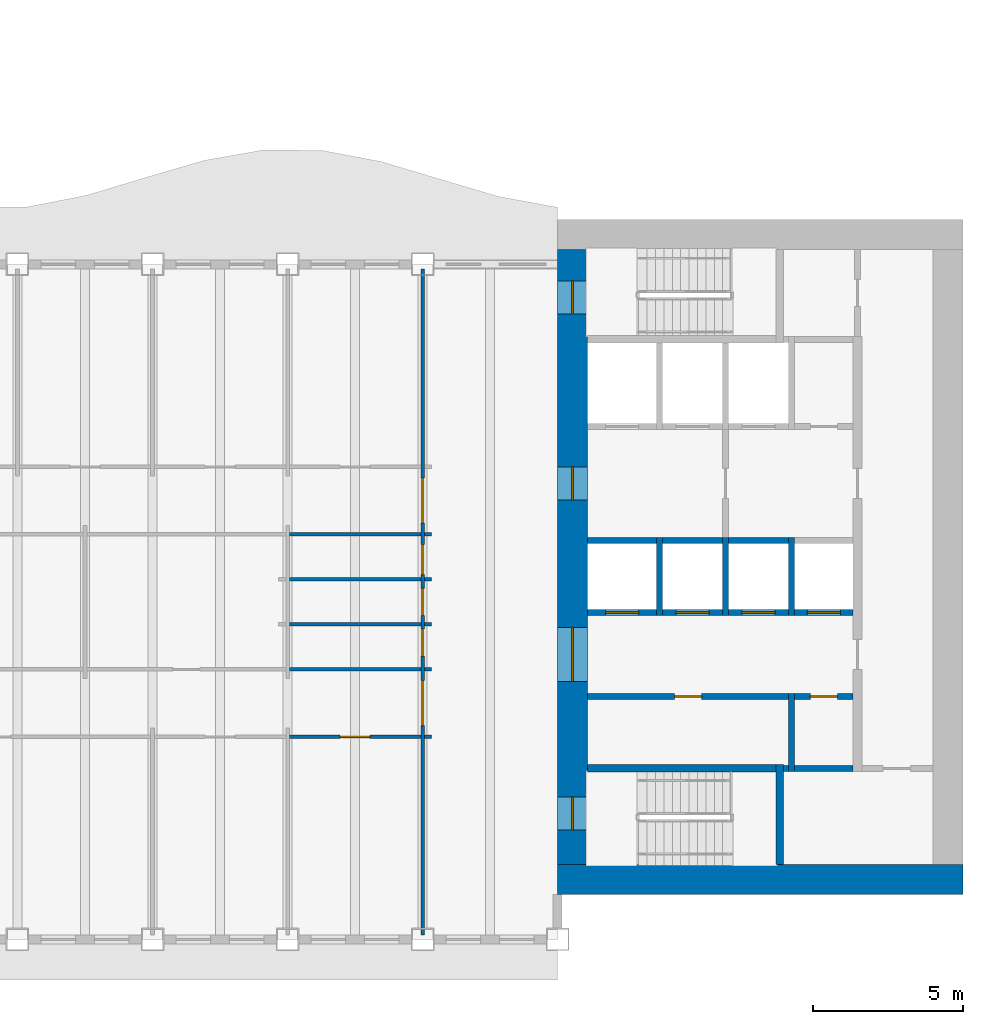
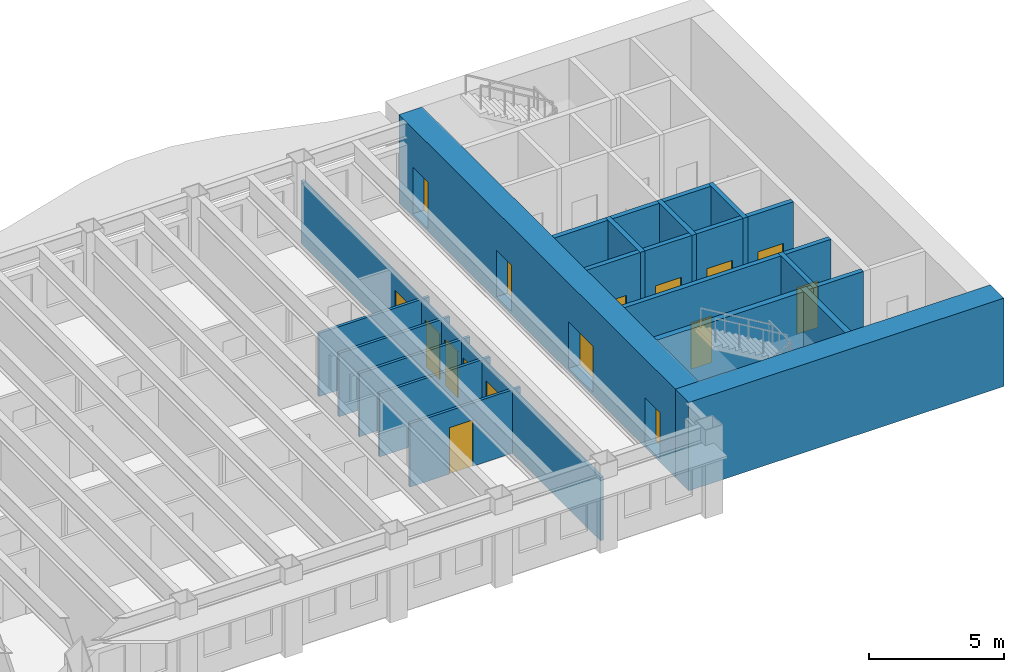
# One storey, part 6 of 16: 30 walls, 16 doors, 16 openings.
"""IFC4 building model written with IfcOpenShell, lengths in metres."""

from ifc_helpers import new_model, si_unit, direction, frame, frame_2d, origin, place, context, subcontext, project, spatial, rectangle, extrude, material, layer, layer_set, type_object, element, fill, save


model = new_model("IFC4")

# Units and contexts
model_context = context("Model", 3, precision=1e-05, world=origin(), true_north=direction((0.0, 1.0)))
body_context = subcontext(model_context, "Body", "Model", "MODEL_VIEW")
ifc_project = project(units=[si_unit("LENGTHUNIT", "METRE"), si_unit("AREAUNIT", "SQUARE_METRE"), si_unit("VOLUMEUNIT", "CUBIC_METRE"), si_unit("PLANEANGLEUNIT", "RADIAN"), si_unit("MASSUNIT", "GRAM", prefix="KILO")], contexts=[model_context])

# Site, building, storey
site_placement = place(None, origin())
site = spatial("IfcSite", under=ifc_project, at=site_placement, CompositionType="ELEMENT")
building_placement = place(site_placement, origin())
building = spatial("IfcBuilding", under=site, at=building_placement, Name="Sennacour Bend Tower", CompositionType="ELEMENT")
storey_placement = place(building_placement, frame((0.0, 0.0, 235.0)))
storey = spatial("IfcBuildingStorey", under=building, at=storey_placement, Name="L54", CompositionType="ELEMENT", Elevation=235.0)

# Wall
ifc_material_1 = material(Name="Concrete C60/75", Category="concrete")
ifc_layer_1 = layer(ifc_material_1, 1.0, Name="Concrete C60/75", Category="concrete")
ifc_layer_set_1 = layer_set([ifc_layer_1], Name="Concrete C60/75")
wall_type_1 = type_object("IfcWallType", Name="Core wall 1000 C60/75", PredefinedType="SHEAR", material=ifc_layer_set_1)
wall_1_placement = place(storey_placement, frame((67.5, 0.5, -0.14990234375), z_axis=(0.0, 0.0, 1.0), x_axis=(-1.0, 0.0, 0.0)))
element("IfcWall", 1, at=wall_1_placement, inside=storey, type_object=wall_type_1, Name="Core A wall L54 S", PredefinedType="SHEAR", context=body_context, shape_type="SweptSolid", body=[
    extrude(rectangle(XDim=13.5, YDim=1.0, at=frame_2d((6.75, 0.0))), origin(), (0.0, 0.0, 1.0), 4.0),
])

# Wall, openings, doors
wall_2_placement = place(storey_placement, frame((54.5, 1.0, -0.14990234375), z_axis=(0.0, 0.0, 1.0), x_axis=(0.0, 1.0, 0.0)))
wall_2 = element("IfcWall", 2, at=wall_2_placement, inside=storey, type_object=wall_type_1, Name="Core A wall L54 W", PredefinedType="SHEAR", context=body_context, shape_type="SweptSolid", body=[
    extrude(rectangle(XDim=20.5, YDim=1.0, at=frame_2d((10.25, 0.0))), origin(), (0.0, 0.0, 1.0), 4.0),
])
opening_1_placement = place(wall_2_placement, frame((6.10009765625, 0.0, 0.14990234375)))
opening_1 = element("IfcOpeningElement", 3, at=opening_1_placement, cuts=wall_2, Name="Opening CD", PredefinedType="OPENING", context=body_context, shape_type="SweptSolid", body=[
    extrude(rectangle(XDim=1.800048828125, YDim=2.10009765625, at=frame_2d((0.89990234375, 1.050048828125))), frame((0.0, 0.510009765625, 0.0), z_axis=(0.0, -1.0, 0.0), x_axis=(1.0, 0.0, 0.0)), (0.0, 0.0, 1.0), 1.02001953125),
])
opening_2_placement = place(wall_2_placement, frame((12.14990234375, 0.0, 0.14990234375)))
opening_2 = element("IfcOpeningElement", 4, at=opening_2_placement, cuts=wall_2, Name="Opening FD", PredefinedType="OPENING", context=body_context, shape_type="SweptSolid", body=[
    extrude(rectangle(XDim=1.10009765625, YDim=2.10009765625, at=frame_2d((0.550048828125, 1.050048828125))), frame((0.0, 0.510009765625, 0.0), z_axis=(0.0, -1.0, 0.0), x_axis=(1.0, 0.0, 0.0)), (0.0, 0.0, 1.0), 1.02001953125),
])
opening_3_placement = place(wall_2_placement, frame((1.14990234375, 0.0, 0.14990234375)))
opening_3 = element("IfcOpeningElement", 5, at=opening_3_placement, cuts=wall_2, Name="Opening SD", PredefinedType="OPENING", context=body_context, shape_type="SweptSolid", body=[
    extrude(rectangle(XDim=1.10009765625, YDim=2.10009765625, at=frame_2d((0.550048828125, 1.050048828125))), frame((0.0, 0.510009765625, 0.0), z_axis=(0.0, -1.0, 0.0), x_axis=(1.0, 0.0, 0.0)), (0.0, 0.0, 1.0), 1.02001953125),
])
opening_4_placement = place(wall_2_placement, frame((18.35009765625, 0.0, 0.14990234375)))
opening_4 = element("IfcOpeningElement", 6, at=opening_4_placement, cuts=wall_2, Name="Opening SD", PredefinedType="OPENING", context=body_context, shape_type="SweptSolid", body=[
    extrude(rectangle(XDim=1.10009765625, YDim=2.10009765625, at=frame_2d((0.550048828125, 1.050048828125))), frame((0.0, 0.510009765625, 0.0), z_axis=(0.0, -1.0, 0.0), x_axis=(1.0, 0.0, 0.0)), (0.0, 0.0, 1.0), 1.02001953125),
])
ifc_material_2 = material(Name="Painted steel", Category="steel")
door_type_1 = type_object("IfcDoorType", Name="DR-FFL-1100", OperationType="NOTDEFINED", PredefinedType="DOOR", material=ifc_material_2)
door_1_placement = place(opening_2_placement, origin())
door_1 = element("IfcDoor", 7, at=door_1_placement, inside=storey, type_object=door_type_1, Name="Door", OperationType="SINGLE_SWING_RIGHT", OverallHeight=2.10009765625, OverallWidth=1.10009765625, PredefinedType="DOOR", context=body_context, shape_type="SweptSolid", body=[
    extrude(rectangle(XDim=1.10009765625, YDim=2.10009765625, at=frame_2d((0.550048828125, 1.050048828125))), frame((0.0, 0.02490234375, 0.0), z_axis=(0.0, -1.0, 0.0), x_axis=(1.0, 0.0, 0.0)), (0.0, 0.0, 1.0), 0.050048828125),
])
fill(opening_2, door_1)
door_type_2 = type_object("IfcDoorType", Name="DR-LOBBY-1800", OperationType="NOTDEFINED", PredefinedType="DOOR", material=ifc_material_2)
door_2_placement = place(opening_1_placement, origin())
door_2 = element("IfcDoor", 8, at=door_2_placement, inside=storey, type_object=door_type_2, Name="Door", OperationType="DOUBLE_DOOR_SINGLE_SWING", OverallHeight=2.10009765625, OverallWidth=1.800048828125, PredefinedType="DOOR", context=body_context, shape_type="SweptSolid", body=[
    extrude(rectangle(XDim=1.800048828125, YDim=2.10009765625, at=frame_2d((0.89990234375, 1.050048828125))), frame((0.0, 0.02490234375, 0.0), z_axis=(0.0, -1.0, 0.0), x_axis=(1.0, 0.0, 0.0)), (0.0, 0.0, 1.0), 0.050048828125),
])
fill(opening_1, door_2)
door_type_3 = type_object("IfcDoorType", Name="DR-STAIR-1100", OperationType="NOTDEFINED", PredefinedType="DOOR", material=ifc_material_2)
door_3_placement = place(opening_3_placement, origin())
door_3 = element("IfcDoor", 9, at=door_3_placement, inside=storey, type_object=door_type_3, Name="Door", OperationType="SINGLE_SWING_LEFT", OverallHeight=2.10009765625, OverallWidth=1.10009765625, PredefinedType="DOOR", context=body_context, shape_type="SweptSolid", body=[
    extrude(rectangle(XDim=1.10009765625, YDim=2.10009765625, at=frame_2d((0.550048828125, 1.050048828125))), frame((0.0, 0.02490234375, 0.0), z_axis=(0.0, -1.0, 0.0), x_axis=(1.0, 0.0, 0.0)), (0.0, 0.0, 1.0), 0.050048828125),
])
fill(opening_3, door_3)
door_4_placement = place(opening_4_placement, origin())
door_4 = element("IfcDoor", 10, at=door_4_placement, inside=storey, type_object=door_type_3, Name="Door", OperationType="SINGLE_SWING_RIGHT", OverallHeight=2.10009765625, OverallWidth=1.10009765625, PredefinedType="DOOR", context=body_context, shape_type="SweptSolid", body=[
    extrude(rectangle(XDim=1.10009765625, YDim=2.10009765625, at=frame_2d((0.550048828125, 1.050048828125))), frame((0.0, 0.02490234375, 0.0), z_axis=(0.0, -1.0, 0.0), x_axis=(1.0, 0.0, 0.0)), (0.0, 0.0, 1.0), 0.050048828125),
])
fill(opening_4, door_4)

# Wall, opening, door
ifc_material_3 = material(Name="Plasterboard partition on steel studs", Category="steel")
ifc_layer_2 = layer(ifc_material_3, 0.1201171875, Name="Plasterboard partition on steel studs", Category="steel")
ifc_layer_set_2 = layer_set([ifc_layer_2], Name="Plasterboard partition on steel studs")
wall_type_2 = type_object("IfcWallType", Name="Partition 120", PredefinedType="PARTITIONING", material=ifc_layer_set_2)
wall_3_placement = place(storey_placement, frame((45.06005859375, 5.25, 0.0), z_axis=(0.0, 0.0, 1.0), x_axis=(1.0, 0.0, 0.0)))
wall_3 = element("IfcWall", 11, at=wall_3_placement, inside=storey, type_object=wall_type_2, Name="P-L54-W056af", PredefinedType="PARTITIONING", context=body_context, shape_type="SweptSolid", body=[
    extrude(rectangle(XDim=4.3798828125, YDim=0.1201171875, at=frame_2d((2.18994140625, 0.0))), origin(), (0.0, 0.0, 1.0), 2.8701171875),
])
opening_5_placement = place(wall_3_placement, frame((1.68994140625, 0.0, 0.0)))
opening_5 = element("IfcOpeningElement", 12, at=opening_5_placement, cuts=wall_3, Name="Opening OD2", PredefinedType="OPENING", context=body_context, shape_type="SweptSolid", body=[
    extrude(rectangle(XDim=1.0, YDim=2.10009765625, at=frame_2d((0.5, 1.050048828125))), frame((0.0, 0.070068359375, 0.0), z_axis=(0.0, -1.0, 0.0), x_axis=(1.0, 0.0, 0.0)), (0.0, 0.0, 1.0), 0.14013671875),
])
ifc_material_4 = material(Name="Timber", Category="wood")
door_type_4 = type_object("IfcDoorType", Name="DR-OFFICE-1000", OperationType="NOTDEFINED", PredefinedType="DOOR", material=ifc_material_4)
door_5_placement = place(opening_5_placement, origin())
door_5 = element("IfcDoor", 13, at=door_5_placement, inside=storey, type_object=door_type_4, Name="Door", OperationType="SINGLE_SWING_LEFT", OverallHeight=2.10009765625, OverallWidth=1.0, PredefinedType="DOOR", context=body_context, shape_type="SweptSolid", body=[
    extrude(rectangle(XDim=1.0, YDim=2.10009765625, at=frame_2d((0.5, 1.050048828125))), frame((0.0, 0.02490234375, 0.0), z_axis=(0.0, -1.0, 0.0), x_axis=(1.0, 0.0, 0.0)), (0.0, 0.0, 1.0), 0.050048828125),
])
fill(opening_5, door_5)

# Walls
wall_4_placement = place(storey_placement, frame((49.56005859375, 5.25, 0.0), z_axis=(0.0, 0.0, 1.0), x_axis=(1.0, 0.0, 0.0)))
element("IfcWall", 14, at=wall_4_placement, inside=storey, type_object=wall_type_2, Name="P-L54-W056ag", PredefinedType="PARTITIONING", context=body_context, shape_type="SweptSolid", body=[
    extrude(rectangle(XDim=0.239990234375, YDim=0.1201171875, at=frame_2d((0.1201171875, 0.0))), origin(), (0.0, 0.0, 1.0), 2.8701171875),
])
wall_5_placement = place(storey_placement, frame((45.06005859375, 7.5, 0.0), z_axis=(0.0, 0.0, 1.0), x_axis=(1.0, 0.0, 0.0)))
element("IfcWall", 15, at=wall_5_placement, inside=storey, type_object=wall_type_2, Name="P-L54-W058ae", PredefinedType="PARTITIONING", context=body_context, shape_type="SweptSolid", body=[
    extrude(rectangle(XDim=4.3798828125, YDim=0.1201171875, at=frame_2d((2.18994140625, 0.0))), origin(), (0.0, 0.0, 1.0), 2.8701171875),
])
wall_6_placement = place(storey_placement, frame((49.56005859375, 7.5, 0.0), z_axis=(0.0, 0.0, 1.0), x_axis=(1.0, 0.0, 0.0)))
element("IfcWall", 16, at=wall_6_placement, inside=storey, type_object=wall_type_2, Name="P-L54-W058af", PredefinedType="PARTITIONING", context=body_context, shape_type="SweptSolid", body=[
    extrude(rectangle(XDim=0.239990234375, YDim=0.1201171875, at=frame_2d((0.1201171875, 0.0))), origin(), (0.0, 0.0, 1.0), 2.8701171875),
])
wall_7_placement = place(storey_placement, frame((45.06005859375, 9.0, 0.0), z_axis=(0.0, 0.0, 1.0), x_axis=(1.0, 0.0, 0.0)))
element("IfcWall", 17, at=wall_7_placement, inside=storey, type_object=wall_type_2, Name="P-L54-W059ab", PredefinedType="PARTITIONING", context=body_context, shape_type="SweptSolid", body=[
    extrude(rectangle(XDim=4.3798828125, YDim=0.1201171875, at=frame_2d((2.18994140625, 0.0))), origin(), (0.0, 0.0, 1.0), 2.8701171875),
])
wall_8_placement = place(storey_placement, frame((49.56005859375, 9.0, 0.0), z_axis=(0.0, 0.0, 1.0), x_axis=(1.0, 0.0, 0.0)))
element("IfcWall", 18, at=wall_8_placement, inside=storey, type_object=wall_type_2, Name="P-L54-W059ac", PredefinedType="PARTITIONING", context=body_context, shape_type="SweptSolid", body=[
    extrude(rectangle(XDim=0.239990234375, YDim=0.1201171875, at=frame_2d((0.1201171875, 0.0))), origin(), (0.0, 0.0, 1.0), 2.8701171875),
])
wall_9_placement = place(storey_placement, frame((45.06005859375, 10.5, 0.0), z_axis=(0.0, 0.0, 1.0), x_axis=(1.0, 0.0, 0.0)))
element("IfcWall", 19, at=wall_9_placement, inside=storey, type_object=wall_type_2, Name="P-L54-W061ab", PredefinedType="PARTITIONING", context=body_context, shape_type="SweptSolid", body=[
    extrude(rectangle(XDim=4.3798828125, YDim=0.1201171875, at=frame_2d((2.18994140625, 0.0))), origin(), (0.0, 0.0, 1.0), 2.8701171875),
])
wall_10_placement = place(storey_placement, frame((49.56005859375, 10.5, 0.0), z_axis=(0.0, 0.0, 1.0), x_axis=(1.0, 0.0, 0.0)))
element("IfcWall", 20, at=wall_10_placement, inside=storey, type_object=wall_type_2, Name="P-L54-W061ac", PredefinedType="PARTITIONING", context=body_context, shape_type="SweptSolid", body=[
    extrude(rectangle(XDim=0.239990234375, YDim=0.1201171875, at=frame_2d((0.1201171875, 0.0))), origin(), (0.0, 0.0, 1.0), 2.8701171875),
])
wall_11_placement = place(storey_placement, frame((45.06005859375, 12.0, 0.0), z_axis=(0.0, 0.0, 1.0), x_axis=(1.0, 0.0, 0.0)))
element("IfcWall", 21, at=wall_11_placement, inside=storey, type_object=wall_type_2, Name="P-L54-W064ae", PredefinedType="PARTITIONING", context=body_context, shape_type="SweptSolid", body=[
    extrude(rectangle(XDim=4.3798828125, YDim=0.1201171875, at=frame_2d((2.18994140625, 0.0))), origin(), (0.0, 0.0, 1.0), 2.8701171875),
])
wall_12_placement = place(storey_placement, frame((49.56005859375, 12.0, 0.0), z_axis=(0.0, 0.0, 1.0), x_axis=(1.0, 0.0, 0.0)))
element("IfcWall", 22, at=wall_12_placement, inside=storey, type_object=wall_type_2, Name="P-L54-W064af", PredefinedType="PARTITIONING", context=body_context, shape_type="SweptSolid", body=[
    extrude(rectangle(XDim=0.239990234375, YDim=0.1201171875, at=frame_2d((0.1201171875, 0.0))), origin(), (0.0, 0.0, 1.0), 2.8701171875),
])

# Wall, openings, doors
ifc_layer_3 = layer(ifc_material_3, 0.1201171875, Name="Plasterboard partition on steel studs", Category="steel")
ifc_layer_set_3 = layer_set([ifc_layer_3], Name="Plasterboard partition on steel studs")
wall_type_3 = type_object("IfcWallType", Name="Partition 120 EI 30", PredefinedType="PARTITIONING", material=ifc_layer_set_3)
wall_13_placement = place(storey_placement, frame((49.5, -1.35009765625, 0.0), z_axis=(0.0, 0.0, 1.0), x_axis=(0.0, 1.0, 0.0)))
wall_13 = element("IfcWall", 23, at=wall_13_placement, inside=storey, type_object=wall_type_3, Name="P-L54-W035a", PredefinedType="PARTITIONING", context=body_context, shape_type="SweptSolid", body=[
    extrude(rectangle(XDim=22.2001953125, YDim=0.1201171875, at=frame_2d((11.10009765625, 0.0))), origin(), (0.0, 0.0, 1.0), 2.8701171875),
])
opening_6_placement = place(wall_13_placement, frame((6.97509765625, 0.0, 0.0)))
opening_6 = element("IfcOpeningElement", 24, at=opening_6_placement, cuts=wall_13, Name="Opening KD", PredefinedType="OPENING", context=body_context, shape_type="SweptSolid", body=[
    extrude(rectangle(XDim=1.5, YDim=2.10009765625, at=frame_2d((0.75, 1.050048828125))), frame((0.0, 0.070068359375, 0.0), z_axis=(0.0, -1.0, 0.0), x_axis=(1.0, 0.0, 0.0)), (0.0, 0.0, 1.0), 0.14013671875),
])
opening_7_placement = place(wall_13_placement, frame((13.72509765625, 0.0, 0.0)))
opening_7 = element("IfcOpeningElement", 25, at=opening_7_placement, cuts=wall_13, Name="Opening KD", PredefinedType="OPENING", context=body_context, shape_type="SweptSolid", body=[
    extrude(rectangle(XDim=1.5, YDim=2.10009765625, at=frame_2d((0.75, 1.050048828125))), frame((0.0, 0.070068359375, 0.0), z_axis=(0.0, -1.0, 0.0), x_axis=(1.0, 0.0, 0.0)), (0.0, 0.0, 1.0), 0.14013671875),
])
opening_8_placement = place(wall_13_placement, frame((9.2900390625, 0.0, 0.0)))
opening_8 = element("IfcOpeningElement", 26, at=opening_8_placement, cuts=wall_13, Name="Opening WD", PredefinedType="OPENING", context=body_context, shape_type="SweptSolid", body=[
    extrude(rectangle(XDim=0.89990234375, YDim=2.10009765625, at=frame_2d((0.449951171875, 1.050048828125))), frame((0.0, 0.070068359375, 0.0), z_axis=(0.0, -1.0, 0.0), x_axis=(1.0, 0.0, 0.0)), (0.0, 0.0, 1.0), 0.14013671875),
])
opening_9_placement = place(wall_13_placement, frame((10.650146484375, 0.0, 0.0)))
opening_9 = element("IfcOpeningElement", 27, at=opening_9_placement, cuts=wall_13, Name="Opening WD", PredefinedType="OPENING", context=body_context, shape_type="SweptSolid", body=[
    extrude(rectangle(XDim=0.89990234375, YDim=2.10009765625, at=frame_2d((0.449951171875, 1.050048828125))), frame((0.0, 0.070068359375, 0.0), z_axis=(0.0, -1.0, 0.0), x_axis=(1.0, 0.0, 0.0)), (0.0, 0.0, 1.0), 0.14013671875),
])
opening_10_placement = place(wall_13_placement, frame((12.010009765625, 0.0, 0.0)))
opening_10 = element("IfcOpeningElement", 28, at=opening_10_placement, cuts=wall_13, Name="Opening AD", PredefinedType="OPENING", context=body_context, shape_type="SweptSolid", body=[
    extrude(rectangle(XDim=1.0, YDim=2.10009765625, at=frame_2d((0.5, 1.050048828125))), frame((0.0, 0.070068359375, 0.0), z_axis=(0.0, -1.0, 0.0), x_axis=(1.0, 0.0, 0.0)), (0.0, 0.0, 1.0), 0.14013671875),
])
door_type_5 = type_object("IfcDoorType", Name="DR-ACC-WC-1000", OperationType="NOTDEFINED", PredefinedType="DOOR", material=ifc_material_4)
door_6_placement = place(opening_10_placement, origin())
door_6 = element("IfcDoor", 29, at=door_6_placement, inside=storey, type_object=door_type_5, Name="Door", OperationType="SINGLE_SWING_RIGHT", OverallHeight=2.10009765625, OverallWidth=1.0, PredefinedType="DOOR", context=body_context, shape_type="SweptSolid", body=[
    extrude(rectangle(XDim=1.0, YDim=2.10009765625, at=frame_2d((0.5, 1.050048828125))), frame((0.0, 0.02490234375, 0.0), z_axis=(0.0, -1.0, 0.0), x_axis=(1.0, 0.0, 0.0)), (0.0, 0.0, 1.0), 0.050048828125),
])
fill(opening_10, door_6)
door_type_6 = type_object("IfcDoorType", Name="DR-CORRIDOR-1500", OperationType="NOTDEFINED", PredefinedType="DOOR", material=ifc_material_2)
door_7_placement = place(opening_6_placement, origin())
door_7 = element("IfcDoor", 30, at=door_7_placement, inside=storey, type_object=door_type_6, Name="Door", OperationType="SINGLE_SWING_LEFT", OverallHeight=2.10009765625, OverallWidth=1.5, PredefinedType="DOOR", context=body_context, shape_type="SweptSolid", body=[
    extrude(rectangle(XDim=1.5, YDim=2.10009765625, at=frame_2d((0.75, 1.050048828125))), frame((0.0, 0.02490234375, 0.0), z_axis=(0.0, -1.0, 0.0), x_axis=(1.0, 0.0, 0.0)), (0.0, 0.0, 1.0), 0.050048828125),
])
fill(opening_6, door_7)
door_8_placement = place(opening_7_placement, origin())
door_8 = element("IfcDoor", 31, at=door_8_placement, inside=storey, type_object=door_type_6, Name="Door", OperationType="SINGLE_SWING_RIGHT", OverallHeight=2.10009765625, OverallWidth=1.5, PredefinedType="DOOR", context=body_context, shape_type="SweptSolid", body=[
    extrude(rectangle(XDim=1.5, YDim=2.10009765625, at=frame_2d((0.75, 1.050048828125))), frame((0.0, 0.02490234375, 0.0), z_axis=(0.0, -1.0, 0.0), x_axis=(1.0, 0.0, 0.0)), (0.0, 0.0, 1.0), 0.050048828125),
])
fill(opening_7, door_8)
door_type_7 = type_object("IfcDoorType", Name="DR-WC-900", OperationType="NOTDEFINED", PredefinedType="DOOR", material=ifc_material_4)
door_9_placement = place(opening_8_placement, origin())
door_9 = element("IfcDoor", 32, at=door_9_placement, inside=storey, type_object=door_type_7, Name="Door", OperationType="SINGLE_SWING_LEFT", OverallHeight=2.10009765625, OverallWidth=0.89990234375, PredefinedType="DOOR", context=body_context, shape_type="SweptSolid", body=[
    extrude(rectangle(XDim=0.89990234375, YDim=2.10009765625, at=frame_2d((0.449951171875, 1.050048828125))), frame((0.0, 0.02490234375, 0.0), z_axis=(0.0, -1.0, 0.0), x_axis=(1.0, 0.0, 0.0)), (0.0, 0.0, 1.0), 0.050048828125),
])
fill(opening_8, door_9)
door_10_placement = place(opening_9_placement, origin())
door_10 = element("IfcDoor", 33, at=door_10_placement, inside=storey, type_object=door_type_7, Name="Door", OperationType="SINGLE_SWING_LEFT", OverallHeight=2.10009765625, OverallWidth=0.89990234375, PredefinedType="DOOR", context=body_context, shape_type="SweptSolid", body=[
    extrude(rectangle(XDim=0.89990234375, YDim=2.10009765625, at=frame_2d((0.449951171875, 1.050048828125))), frame((0.0, 0.02490234375, 0.0), z_axis=(0.0, -1.0, 0.0), x_axis=(1.0, 0.0, 0.0)), (0.0, 0.0, 1.0), 0.050048828125),
])
fill(opening_9, door_10)

# Walls
ifc_material_5 = material(Name="Fire-rated plasterboard partition on steel studs", Category="steel")
ifc_layer_4 = layer(ifc_material_5, 0.199951171875, Name="Fire-rated plasterboard partition on steel studs", Category="steel")
ifc_layer_set_4 = layer_set([ifc_layer_4], Name="Fire-rated plasterboard partition on steel studs")
wall_type_4 = type_object("IfcWallType", Name="Rated partition 200", PredefinedType="PARTITIONING", material=ifc_layer_set_4)
wall_14_placement = place(storey_placement, frame((61.800048828125, 4.10009765625, 0.0), z_axis=(0.0, 0.0, 1.0), x_axis=(0.0, 1.0, 0.0)))
element("IfcWall", 34, at=wall_14_placement, inside=storey, type_object=wall_type_4, Name="P-L54-W044", PredefinedType="PARTITIONING", context=body_context, shape_type="SweptSolid", body=[
    extrude(rectangle(XDim=2.599853515625, YDim=0.199951171875, at=frame_2d((1.2998046875, 0.0))), origin(), (0.0, 0.0, 1.0), 3.85009765625),
])
wall_15_placement = place(storey_placement, frame((61.52490234375, 4.199951171875, 0.0), z_axis=(0.0, 0.0, 1.0), x_axis=(1.0, 0.0, 0.0)))
element("IfcWall", 35, at=wall_15_placement, inside=storey, type_object=wall_type_4, Name="P-L54-W055a", PredefinedType="PARTITIONING", context=body_context, shape_type="SweptSolid", body=[
    extrude(rectangle(XDim=0.175048828125, YDim=0.199951171875, at=frame_2d((0.08740234375, 0.0))), origin(), (0.0, 0.0, 1.0), 3.85009765625),
])
wall_16_placement = place(storey_placement, frame((61.89990234375, 4.199951171875, 0.0), z_axis=(0.0, 0.0, 1.0), x_axis=(1.0, 0.0, 0.0)))
element("IfcWall", 36, at=wall_16_placement, inside=storey, type_object=wall_type_4, Name="P-L54-W055b", PredefinedType="PARTITIONING", context=body_context, shape_type="SweptSolid", body=[
    extrude(rectangle(XDim=1.9501953125, YDim=0.199951171875, at=frame_2d((0.97509765625, 0.0))), origin(), (0.0, 0.0, 1.0), 3.85009765625),
])

# Wall, opening, door
wall_17_placement = place(storey_placement, frame((55.0, 6.60009765625, 0.0), z_axis=(0.0, 0.0, 1.0), x_axis=(1.0, 0.0, 0.0)))
wall_17 = element("IfcWall", 37, at=wall_17_placement, inside=storey, type_object=wall_type_4, Name="P-L54-W057a", PredefinedType="PARTITIONING", context=body_context, shape_type="SweptSolid", body=[
    extrude(rectangle(XDim=6.699951171875, YDim=0.199951171875, at=frame_2d((3.35009765625, 0.0))), origin(), (0.0, 0.0, 1.0), 3.85009765625),
])
opening_11_placement = place(wall_17_placement, frame((2.89990234375, 0.0, 0.0)))
opening_11 = element("IfcOpeningElement", 38, at=opening_11_placement, cuts=wall_17, Name="Opening SV", PredefinedType="OPENING", context=body_context, shape_type="SweptSolid", body=[
    extrude(rectangle(XDim=0.89990234375, YDim=2.10009765625, at=frame_2d((0.449951171875, 1.050048828125))), frame((0.0, 0.10986328125, 0.0), z_axis=(0.0, -1.0, 0.0), x_axis=(1.0, 0.0, 0.0)), (0.0, 0.0, 1.0), 0.219970703125),
])
door_type_8 = type_object("IfcDoorType", Name="DR-SERVICE-900", OperationType="NOTDEFINED", PredefinedType="DOOR", material=ifc_material_2)
door_11_placement = place(opening_11_placement, origin())
door_11 = element("IfcDoor", 39, at=door_11_placement, inside=storey, type_object=door_type_8, Name="Door", OperationType="SINGLE_SWING_LEFT", OverallHeight=2.10009765625, OverallWidth=0.89990234375, PredefinedType="DOOR", context=body_context, shape_type="SweptSolid", body=[
    extrude(rectangle(XDim=0.89990234375, YDim=2.10009765625, at=frame_2d((0.449951171875, 1.050048828125))), frame((0.0, 0.02490234375, 0.0), z_axis=(0.0, -1.0, 0.0), x_axis=(1.0, 0.0, 0.0)), (0.0, 0.0, 1.0), 0.050048828125),
])
fill(opening_11, door_11)

wall_18_placement = place(storey_placement, frame((61.89990234375, 6.60009765625, 0.0), z_axis=(0.0, 0.0, 1.0), x_axis=(1.0, 0.0, 0.0)))
wall_18 = element("IfcWall", 40, at=wall_18_placement, inside=storey, type_object=wall_type_4, Name="P-L54-W057b", PredefinedType="PARTITIONING", context=body_context, shape_type="SweptSolid", body=[
    extrude(rectangle(XDim=1.9501953125, YDim=0.199951171875, at=frame_2d((0.97509765625, 0.0))), origin(), (0.0, 0.0, 1.0), 3.85009765625),
])
opening_12_placement = place(wall_18_placement, frame((0.525146484375, 0.0, 0.0)))
opening_12 = element("IfcOpeningElement", 41, at=opening_12_placement, cuts=wall_18, Name="Opening SV", PredefinedType="OPENING", context=body_context, shape_type="SweptSolid", body=[
    extrude(rectangle(XDim=0.89990234375, YDim=2.10009765625, at=frame_2d((0.449951171875, 1.050048828125))), frame((0.0, 0.10986328125, 0.0), z_axis=(0.0, -1.0, 0.0), x_axis=(1.0, 0.0, 0.0)), (0.0, 0.0, 1.0), 0.219970703125),
])
door_12_placement = place(opening_12_placement, origin())
door_12 = element("IfcDoor", 42, at=door_12_placement, inside=storey, type_object=door_type_8, Name="Door", OperationType="SINGLE_SWING_RIGHT", OverallHeight=2.10009765625, OverallWidth=0.89990234375, PredefinedType="DOOR", context=body_context, shape_type="SweptSolid", body=[
    extrude(rectangle(XDim=0.89990234375, YDim=2.10009765625, at=frame_2d((0.449951171875, 1.050048828125))), frame((0.0, 0.02490234375, 0.0), z_axis=(0.0, -1.0, 0.0), x_axis=(1.0, 0.0, 0.0)), (0.0, 0.0, 1.0), 0.050048828125),
])
fill(opening_12, door_12)

# Walls
ifc_material_6 = material(Name="Concrete C50/60", Category="concrete")
ifc_layer_5 = layer(ifc_material_6, 0.199951171875, Name="Concrete C50/60", Category="concrete")
ifc_layer_set_5 = layer_set([ifc_layer_5], Name="Concrete C50/60")
wall_type_5 = type_object("IfcWallType", Name="Shaft wall 200", PredefinedType="SOLIDWALL", material=ifc_layer_set_5)
for number, where, z_axis, x_axis, name in (
    (43, (57.39990234375, 9.300048828125, 0.0), (0.0, 0.0, 1.0), (0.0, 1.0, 0.0), "P-L54-W037"),
    (44, (59.60009765625, 9.300048828125, 0.0), (0.0, 0.0, 1.0), (0.0, 1.0, 0.0), "P-L54-W039"),
    (45, (61.800048828125, 9.300048828125, 0.0), (0.0, 0.0, 1.0), (0.0, 1.0, 0.0), "P-L54-W045"),
):
    element("IfcWall", number, at=place(storey_placement, frame(where, z_axis=z_axis, x_axis=x_axis)), inside=storey, type_object=wall_type_5, Name=name, PredefinedType="SOLIDWALL", context=body_context, shape_type="SweptSolid", body=[
        extrude(rectangle(XDim=2.599853515625, YDim=0.199951171875, at=frame_2d((1.2998046875, 0.0))), origin(), (0.0, 0.0, 1.0), 3.85009765625),
    ])

# Wall, opening, door
wall_19_placement = place(storey_placement, frame((55.0, 9.39990234375, 0.0), z_axis=(0.0, 0.0, 1.0), x_axis=(1.0, 0.0, 0.0)))
wall_19 = element("IfcWall", 46, at=wall_19_placement, inside=storey, type_object=wall_type_5, Name="P-L54-W060a", PredefinedType="SOLIDWALL", context=body_context, shape_type="SweptSolid", body=[
    extrude(rectangle(XDim=2.300048828125, YDim=0.199951171875, at=frame_2d((1.14990234375, 0.0))), origin(), (0.0, 0.0, 1.0), 3.85009765625),
])
opening_13_placement = place(wall_19_placement, frame((0.60009765625, 0.0, 0.011962890625)))
opening_13 = element("IfcOpeningElement", 47, at=opening_13_placement, cuts=wall_19, Name="Opening LD", PredefinedType="OPENING", context=body_context, shape_type="SweptSolid", body=[
    extrude(rectangle(XDim=1.10009765625, YDim=2.10009765625, at=frame_2d((0.550048828125, 1.050048828125))), frame((0.0, 0.10986328125, 0.0), z_axis=(0.0, -1.0, 0.0), x_axis=(1.0, 0.0, 0.0)), (0.0, 0.0, 1.0), 0.219970703125),
])
ifc_material_7 = material(Name="Stainless steel", Category="steel")
door_type_9 = type_object("IfcDoorType", Name="DR-LANDING-1100", OperationType="NOTDEFINED", PredefinedType="DOOR", material=ifc_material_7)
door_13_placement = place(opening_13_placement, origin())
door_13 = element("IfcDoor", 48, at=door_13_placement, inside=storey, type_object=door_type_9, Name="Lift landing door HA1", OperationType="SLIDING_TO_LEFT", OverallHeight=2.10009765625, OverallWidth=1.10009765625, PredefinedType="DOOR", context=body_context, shape_type="SweptSolid", body=[
    extrude(rectangle(XDim=1.10009765625, YDim=2.10009765625, at=frame_2d((0.550048828125, 1.050048828125))), frame((0.0, 0.02490234375, 0.0), z_axis=(0.0, -1.0, 0.0), x_axis=(1.0, 0.0, 0.0)), (0.0, 0.0, 1.0), 0.050048828125),
])
fill(opening_13, door_13)

wall_20_placement = place(storey_placement, frame((57.5, 9.39990234375, 0.0), z_axis=(0.0, 0.0, 1.0), x_axis=(1.0, 0.0, 0.0)))
wall_20 = element("IfcWall", 49, at=wall_20_placement, inside=storey, type_object=wall_type_5, Name="P-L54-W060b", PredefinedType="SOLIDWALL", context=body_context, shape_type="SweptSolid", body=[
    extrude(rectangle(XDim=2.0, YDim=0.199951171875, at=frame_2d((1.0, 0.0))), origin(), (0.0, 0.0, 1.0), 3.85009765625),
])
opening_14_placement = place(wall_20_placement, frame((0.449951171875, 0.0, 0.011962890625)))
opening_14 = element("IfcOpeningElement", 50, at=opening_14_placement, cuts=wall_20, Name="Opening LD", PredefinedType="OPENING", context=body_context, shape_type="SweptSolid", body=[
    extrude(rectangle(XDim=1.10009765625, YDim=2.10009765625, at=frame_2d((0.550048828125, 1.050048828125))), frame((0.0, 0.10986328125, 0.0), z_axis=(0.0, -1.0, 0.0), x_axis=(1.0, 0.0, 0.0)), (0.0, 0.0, 1.0), 0.219970703125),
])
door_14_placement = place(opening_14_placement, origin())
door_14 = element("IfcDoor", 51, at=door_14_placement, inside=storey, type_object=door_type_9, Name="Lift landing door HA2", OperationType="SLIDING_TO_RIGHT", OverallHeight=2.10009765625, OverallWidth=1.10009765625, PredefinedType="DOOR", context=body_context, shape_type="SweptSolid", body=[
    extrude(rectangle(XDim=1.10009765625, YDim=2.10009765625, at=frame_2d((0.550048828125, 1.050048828125))), frame((0.0, 0.02490234375, 0.0), z_axis=(0.0, -1.0, 0.0), x_axis=(1.0, 0.0, 0.0)), (0.0, 0.0, 1.0), 0.050048828125),
])
fill(opening_14, door_14)

wall_21_placement = place(storey_placement, frame((59.699951171875, 9.39990234375, 0.0), z_axis=(0.0, 0.0, 1.0), x_axis=(1.0, 0.0, 0.0)))
wall_21 = element("IfcWall", 52, at=wall_21_placement, inside=storey, type_object=wall_type_5, Name="P-L54-W060c", PredefinedType="SOLIDWALL", context=body_context, shape_type="SweptSolid", body=[
    extrude(rectangle(XDim=2.0, YDim=0.199951171875, at=frame_2d((1.0, 0.0))), origin(), (0.0, 0.0, 1.0), 3.85009765625),
])
opening_15_placement = place(wall_21_placement, frame((0.449951171875, 0.0, 0.011962890625)))
opening_15 = element("IfcOpeningElement", 53, at=opening_15_placement, cuts=wall_21, Name="Opening LD", PredefinedType="OPENING", context=body_context, shape_type="SweptSolid", body=[
    extrude(rectangle(XDim=1.10009765625, YDim=2.10009765625, at=frame_2d((0.550048828125, 1.050048828125))), frame((0.0, 0.10986328125, 0.0), z_axis=(0.0, -1.0, 0.0), x_axis=(1.0, 0.0, 0.0)), (0.0, 0.0, 1.0), 0.219970703125),
])
door_15_placement = place(opening_15_placement, origin())
door_15 = element("IfcDoor", 54, at=door_15_placement, inside=storey, type_object=door_type_9, Name="Lift landing door HA3", OperationType="SLIDING_TO_LEFT", OverallHeight=2.10009765625, OverallWidth=1.10009765625, PredefinedType="DOOR", context=body_context, shape_type="SweptSolid", body=[
    extrude(rectangle(XDim=1.10009765625, YDim=2.10009765625, at=frame_2d((0.550048828125, 1.050048828125))), frame((0.0, 0.02490234375, 0.0), z_axis=(0.0, -1.0, 0.0), x_axis=(1.0, 0.0, 0.0)), (0.0, 0.0, 1.0), 0.050048828125),
])
fill(opening_15, door_15)

wall_22_placement = place(storey_placement, frame((61.89990234375, 9.39990234375, 0.0), z_axis=(0.0, 0.0, 1.0), x_axis=(1.0, 0.0, 0.0)))
wall_22 = element("IfcWall", 55, at=wall_22_placement, inside=storey, type_object=wall_type_5, Name="P-L54-W060d", PredefinedType="SOLIDWALL", context=body_context, shape_type="SweptSolid", body=[
    extrude(rectangle(XDim=1.9501953125, YDim=0.199951171875, at=frame_2d((0.97509765625, 0.0))), origin(), (0.0, 0.0, 1.0), 3.85009765625),
])
opening_16_placement = place(wall_22_placement, frame((0.425048828125, 0.0, 0.011962890625)))
opening_16 = element("IfcOpeningElement", 56, at=opening_16_placement, cuts=wall_22, Name="Opening LD", PredefinedType="OPENING", context=body_context, shape_type="SweptSolid", body=[
    extrude(rectangle(XDim=1.10009765625, YDim=2.10009765625, at=frame_2d((0.550048828125, 1.050048828125))), frame((0.0, 0.10986328125, 0.0), z_axis=(0.0, -1.0, 0.0), x_axis=(1.0, 0.0, 0.0)), (0.0, 0.0, 1.0), 0.219970703125),
])
door_16_placement = place(opening_16_placement, origin())
door_16 = element("IfcDoor", 57, at=door_16_placement, inside=storey, type_object=door_type_9, Name="Lift landing door HA4", OperationType="SLIDING_TO_RIGHT", OverallHeight=2.10009765625, OverallWidth=1.10009765625, PredefinedType="DOOR", context=body_context, shape_type="SweptSolid", body=[
    extrude(rectangle(XDim=1.10009765625, YDim=2.10009765625, at=frame_2d((0.550048828125, 1.050048828125))), frame((0.0, 0.02490234375, 0.0), z_axis=(0.0, -1.0, 0.0), x_axis=(1.0, 0.0, 0.0)), (0.0, 0.0, 1.0), 0.050048828125),
])
fill(opening_16, door_16)

# Walls
wall_23_placement = place(storey_placement, frame((55.0, 11.800048828125, 0.0), z_axis=(0.0, 0.0, 1.0), x_axis=(1.0, 0.0, 0.0)))
element("IfcWall", 58, at=wall_23_placement, inside=storey, type_object=wall_type_5, Name="P-L54-W063a", PredefinedType="SOLIDWALL", context=body_context, shape_type="SweptSolid", body=[
    extrude(rectangle(XDim=2.300048828125, YDim=0.199951171875, at=frame_2d((1.14990234375, 0.0))), origin(), (0.0, 0.0, 1.0), 3.85009765625),
])
for number, where, z_axis, x_axis, name in (
    (59, (57.5, 11.800048828125, 0.0), (0.0, 0.0, 1.0), (1.0, 0.0, 0.0), "P-L54-W063b"),
    (60, (59.699951171875, 11.800048828125, 0.0), (0.0, 0.0, 1.0), (1.0, 0.0, 0.0), "P-L54-W063c"),
):
    element("IfcWall", number, at=place(storey_placement, frame(where, z_axis=z_axis, x_axis=x_axis)), inside=storey, type_object=wall_type_5, Name=name, PredefinedType="SOLIDWALL", context=body_context, shape_type="SweptSolid", body=[
        extrude(rectangle(XDim=2.0, YDim=0.199951171875, at=frame_2d((1.0, 0.0))), origin(), (0.0, 0.0, 1.0), 3.85009765625),
    ])
ifc_layer_6 = layer(ifc_material_1, 0.25, Name="Concrete C60/75", Category="concrete")
ifc_layer_set_6 = layer_set([ifc_layer_6], Name="Concrete C60/75")
wall_type_6 = type_object("IfcWallType", Name="Stair wall 250", PredefinedType="SHEAR", material=ifc_layer_set_6)
wall_24_placement = place(storey_placement, frame((61.39990234375, 1.0, 0.0), z_axis=(0.0, 0.0, 1.0), x_axis=(0.0, 1.0, 0.0)))
element("IfcWall", 61, at=wall_24_placement, inside=storey, type_object=wall_type_6, Name="P-L54-W042", PredefinedType="SHEAR", context=body_context, shape_type="SweptSolid", body=[
    extrude(rectangle(XDim=3.324951171875, YDim=0.25, at=frame_2d((1.66259765625, 0.0))), origin(), (0.0, 0.0, 1.0), 3.85009765625),
])
wall_25_placement = place(storey_placement, frame((55.0, 4.199951171875, 0.0), z_axis=(0.0, 0.0, 1.0), x_axis=(1.0, 0.0, 0.0)))
element("IfcWall", 62, at=wall_25_placement, inside=storey, type_object=wall_type_6, Name="P-L54-W054", PredefinedType="SHEAR", context=body_context, shape_type="SweptSolid", body=[
    extrude(rectangle(XDim=6.27490234375, YDim=0.25, at=frame_2d((3.137451171875, 0.0))), origin(), (0.0, 0.0, 1.0), 3.85009765625),
])

save(model, "model.ifc")
